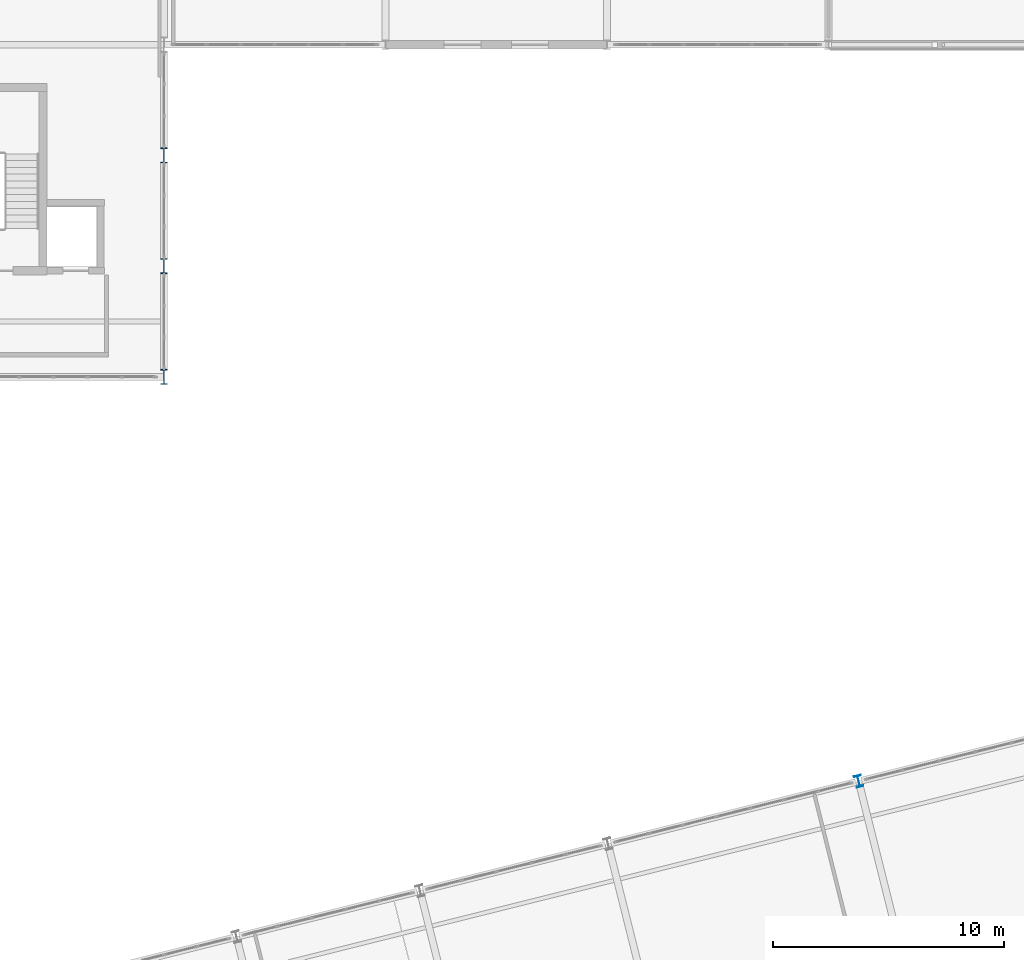
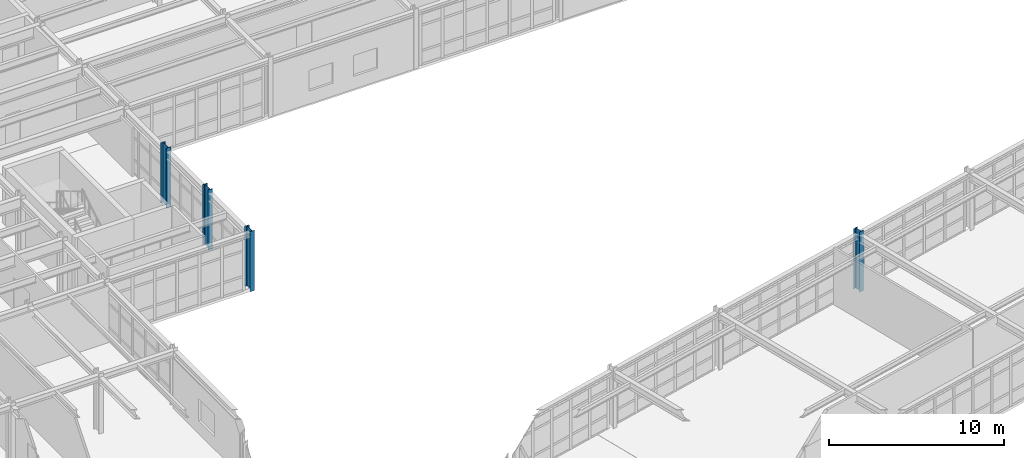
# One storey, part 10 of 99: 4 columns.
"""IFC4 building model written with IfcOpenShell, lengths in metres."""

from ifc_helpers import new_model, si_unit, direction, frame, origin, origin_2d, place, context, subcontext, project, spatial, i_section, extrude, material, material_profile, profile_set, type_object, element, save


model = new_model("IFC4")

# Units and contexts
model_context = context("Model", 3, precision=1e-05, world=origin(), true_north=direction((0.0, 1.0)))
body_context = subcontext(model_context, "Body", "Model", "MODEL_VIEW")
ifc_project = project(units=[si_unit("LENGTHUNIT", "METRE"), si_unit("AREAUNIT", "SQUARE_METRE"), si_unit("VOLUMEUNIT", "CUBIC_METRE"), si_unit("PLANEANGLEUNIT", "RADIAN"), si_unit("MASSUNIT", "GRAM", prefix="KILO")], contexts=[model_context])

# Site, building, storey
site_placement = place(None, origin())
site = spatial("IfcSite", under=ifc_project, at=site_placement, CompositionType="ELEMENT")
building_placement = place(site_placement, origin())
building = spatial("IfcBuilding", under=site, at=building_placement, Name="Nordkorset Police Headquarters", CompositionType="ELEMENT")
storey_placement = place(building_placement, frame((0.0, 0.0, 5.25)))
storey = spatial("IfcBuildingStorey", under=building, at=storey_placement, Name="L01", CompositionType="ELEMENT", Elevation=5.25)

# Columns
ifc_material_1 = material(Name="Steel S355J2", Category="steel")
ifc_material_profile_1 = material_profile(ifc_material_1, i_section(OverallWidth=0.300048828125, OverallDepth=0.5, WebThickness=0.014404296875, FlangeThickness=0.028076171875, FilletRadius=0.027099609375, at=origin_2d()), Name="HEB 500")
ifc_profile_set_1 = profile_set([ifc_material_profile_1], Name="Steel S355J2")
column_type_1 = type_object("IfcColumnType", Name="Col_HEB_500", PredefinedType="COLUMN", material=ifc_profile_set_1)
column_placement = place(storey_placement, frame((58.9130859375, 65.67138671875, 0.0), z_axis=(0.0, 0.0, 1.0), x_axis=(0.970142500145, 0.242535625038, 0.0)))
element("IfcColumn", 1, at=column_placement, inside=storey, type_object=column_type_1, Name="Structural Column V4_U4_V1 L01", PredefinedType="COLUMN", context=body_context, shape_type="SweptSolid", body=[
    extrude(i_section(OverallWidth=0.300048828125, OverallDepth=0.5, WebThickness=0.014404296875, FlangeThickness=0.028076171875, FilletRadius=0.027099609375, at=origin_2d()), origin(), (0.0, 0.0, 1.0), 4.199951171875),
])
ifc_material_2 = material(Name="Steel S355J2", Category="steel")
ifc_material_profile_2 = material_profile(ifc_material_2, i_section(OverallWidth=0.300048828125, OverallDepth=0.64990234375, WebThickness=0.01611328125, FlangeThickness=0.031005859375, FilletRadius=0.027099609375, at=origin_2d()), Name="HEB 650")
ifc_profile_set_2 = profile_set([ifc_material_profile_2], Name="Steel S355J2")
column_type_2 = type_object("IfcColumnType", Name="Col_HEB_650", PredefinedType="COLUMN", material=ifc_profile_set_2)
for number, where, z_axis, x_axis, name in (
    (2, (28.800048828125, 83.199951171875, 0.0), (0.0, 0.0, 1.0), (1.0, 0.0, 0.0), "Structural Column V1_E_0 L01"),
    (3, (28.800048828125, 88.0, 0.0), (0.0, 0.0, 1.0), (1.0, 0.0, 0.0), "Structural Column V1_E_1 L01"),
    (4, (28.800048828125, 92.800048828125, 0.0), (0.0, 0.0, 1.0), (1.0, 0.0, 0.0), "Structural Column V1_E_2 L01"),
):
    element("IfcColumn", number, at=place(storey_placement, frame(where, z_axis=z_axis, x_axis=x_axis)), inside=storey, type_object=column_type_2, Name=name, PredefinedType="COLUMN", context=body_context, shape_type="SweptSolid", body=[
        extrude(i_section(OverallWidth=0.300048828125, OverallDepth=0.64990234375, WebThickness=0.01611328125, FlangeThickness=0.031005859375, FilletRadius=0.027099609375, at=origin_2d()), origin(), (0.0, 0.0, 1.0), 4.199951171875),
    ])

save(model, "model.ifc")
